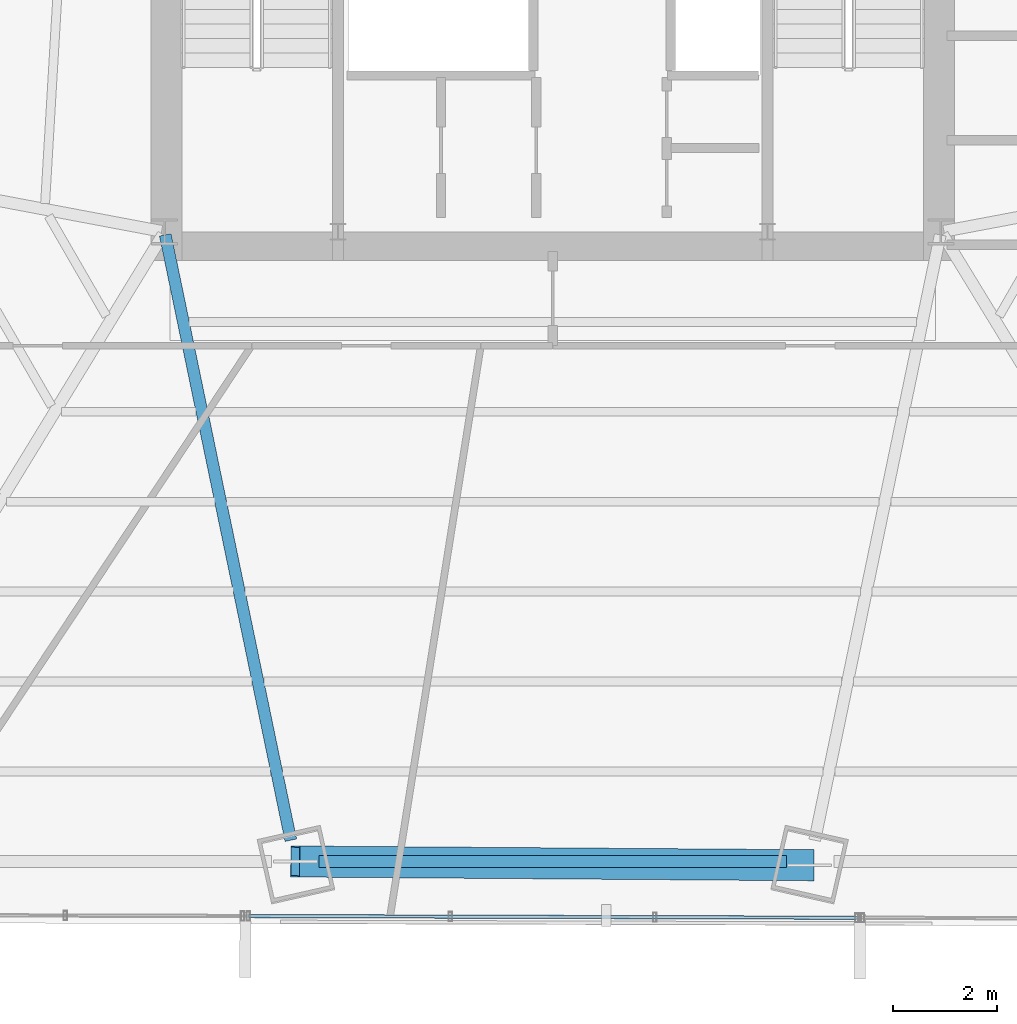
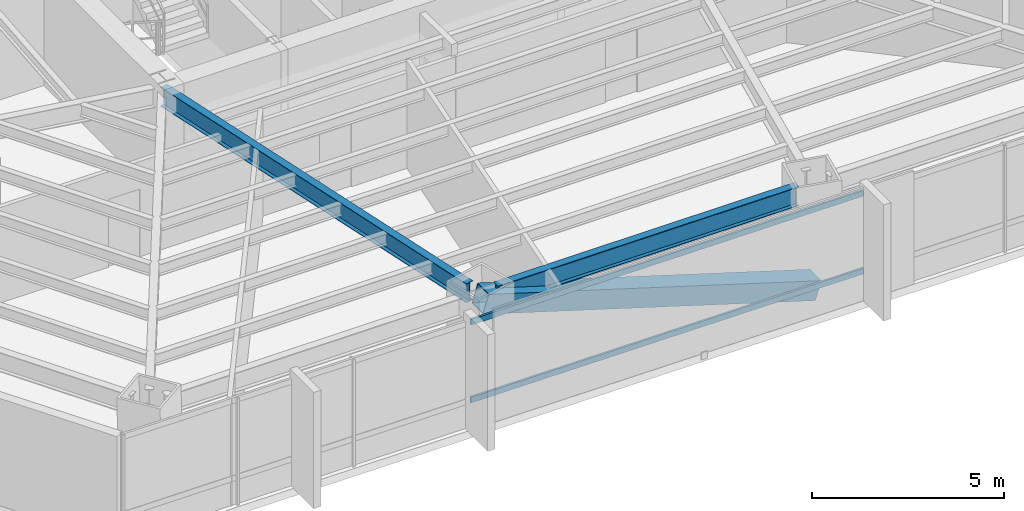
# One storey, part 8 of 37: 3 members, 2 beams, 1 element without a shape of its own.
"""IFC4 building model written with IfcOpenShell, lengths in metres."""

from ifc_helpers import new_model, si_unit, direction, frame, origin, origin_2d, place, context, subcontext, project, spatial, hollow_rectangle, i_section, extrude, source, transform, mapped, material, material_profile, profile_set, type_object, type_shapes, element, aggregate, save


model = new_model("IFC4")

# Units and contexts
model_context = context("Model", 3, precision=1e-05, world=origin(), true_north=direction((0.0, 1.0)))
body_context = subcontext(model_context, "Body", "Model", "MODEL_VIEW")
ifc_project = project(units=[si_unit("LENGTHUNIT", "METRE"), si_unit("AREAUNIT", "SQUARE_METRE"), si_unit("VOLUMEUNIT", "CUBIC_METRE"), si_unit("PLANEANGLEUNIT", "RADIAN"), si_unit("MASSUNIT", "GRAM", prefix="KILO")], contexts=[model_context])

# Site, building, storey
site_placement = place(None, origin())
site = spatial("IfcSite", under=ifc_project, at=site_placement, CompositionType="ELEMENT")
building_placement = place(site_placement, origin())
building = spatial("IfcBuilding", under=site, at=building_placement, Name="Caelisora Broadcast Tower", CompositionType="ELEMENT")
storey_placement = place(building_placement, frame((0.0, 0.0, 45.85009765625)))
storey = spatial("IfcBuildingStorey", under=building, at=storey_placement, Name="L11", CompositionType="ELEMENT", Elevation=45.85009765625)

# Beams
ifc_material_1 = material(Name="Steel Grade 350 (AS/NZS 3679.1)", Category="steel")
ifc_material_profile_1 = material_profile(ifc_material_1, i_section(OverallWidth=0.22900390625, OverallDepth=0.611572265625, WebThickness=0.011962890625, FlangeThickness=0.01953125, at=origin_2d()), Name="Steel Grade 350 (AS/NZS 3679.1)")
ifc_profile_set_1 = profile_set([ifc_material_profile_1], Name="Steel Grade 350 (AS/NZS 3679.1)")
beam_type_1 = type_object("IfcBeamType", Name="PG03", PredefinedType="BEAM", material=ifc_profile_set_1)
shared_shape_1 = source(origin(), body_context, "Body", "SweptSolid", [
    extrude(i_section(OverallWidth=0.22900390625, OverallDepth=0.611572265625, WebThickness=0.011962890625, FlangeThickness=0.01953125, at=origin_2d()), origin(), (0.0, 0.0, 1.0), 9.03173828125),
])
type_shapes(beam_type_1, [shared_shape_1])
beam_1_placement = place(storey_placement, frame((33.484130859375, 5.23388671875, 3.093994140625), z_axis=(1.0, 0.0, 0.0), x_axis=(0.0, 1.0, 0.0)))
element("IfcBeam", 1, at=beam_1_placement, inside=storey, type_object=beam_type_1, Name="L11 beam PG03", PredefinedType="BEAM", context=body_context, shape_type="MappedRepresentation", body=[
    mapped(shared_shape_1, transform((0.0, 0.0, 0.0), scale=1.0)),
])
ifc_material_profile_2 = material_profile(ifc_material_1, i_section(OverallWidth=0.22802734375, OverallDepth=0.602294921875, WebThickness=0.010498046875, FlangeThickness=0.014892578125, at=origin_2d()), Name="Steel Grade 350 (AS/NZS 3679.1)")
ifc_profile_set_2 = profile_set([ifc_material_profile_2], Name="Steel Grade 350 (AS/NZS 3679.1)")
beam_type_2 = type_object("IfcBeamType", Name="PG04", PredefinedType="BEAM", material=ifc_profile_set_2)
shared_shape_2 = source(origin(), body_context, "Body", "SweptSolid", [
    extrude(i_section(OverallWidth=0.22802734375, OverallDepth=0.602294921875, WebThickness=0.010498046875, FlangeThickness=0.014892578125, at=origin_2d()), origin(), (0.0, 0.0, 1.0), 11.9453125),
])
type_shapes(beam_type_2, [shared_shape_2])
beam_2_placement = place(storey_placement, frame((30.51220703125, 17.34130859375, 3.098876953125), z_axis=(0.203154347034, -0.979146726125, 0.0), x_axis=(0.979146726125, 0.203154347034, 0.0)))
element("IfcBeam", 2, at=beam_2_placement, inside=storey, type_object=beam_type_2, Name="L11 beam PG04", PredefinedType="BEAM", context=body_context, shape_type="MappedRepresentation", body=[
    mapped(shared_shape_2, transform((0.0, 0.0, 0.0), scale=1.0)),
])

# Member
ifc_material_2 = material(Name="Steel Grade 450 L15 (AS/NZS 3678)", Category="steel")
ifc_material_profile_3 = material_profile(ifc_material_2, hollow_rectangle(XDim=0.60009765625, YDim=0.60009765625, WallThickness=0.02490234375, at=origin_2d()), Name="Steel Grade 450 L15 (AS/NZS 3678)")
ifc_profile_set_3 = profile_set([ifc_material_profile_3], Name="Steel Grade 450 L15 (AS/NZS 3678)")
member_type_1 = type_object("IfcMemberType", Name="BR01", PredefinedType="BRACE", material=ifc_profile_set_3)
shared_shape_3 = source(origin(), body_context, "Body", "SweptSolid", [
    extrude(hollow_rectangle(XDim=0.60009765625, YDim=0.60009765625, WallThickness=0.02490234375, at=origin_2d()), origin(), (0.0, 0.0, 1.0), 10.378662109375),
])
type_shapes(member_type_1, [shared_shape_3])
member_1_placement = place(storey_placement, frame((33.024169921875, 5.23388671875, 3.099853515625), z_axis=(0.957286818987, -0.006962941354, -0.289056160013), x_axis=(0.007273428438, 0.99997354827, 0.0)))
element("IfcMember", 3, at=member_1_placement, inside=storey, type_object=member_type_1, Name="L11 perimeter brace BR01", PredefinedType="BRACE", context=body_context, shape_type="MappedRepresentation", body=[
    mapped(shared_shape_3, transform((0.0, 0.0, 0.0), scale=1.0)),
])

# Curtain wall, members
ifc_material_3 = material(Name="Unitised Aluminium Insulated Shadow-Box Spandrel Curtain Wall", Category="aluminium")
curtain_wall_type = type_object("IfcCurtainWallType", Name="CW-SP1", PredefinedType="NOTDEFINED", material=ifc_material_3)
curtain_wall_placement = place(storey_placement, origin())
curtain_wall = element("IfcCurtainWall", 4, at=curtain_wall_placement, inside=storey, type_object=curtain_wall_type, Name="L11 curtain wall CW-SP1", PredefinedType="NOTDEFINED")
ifc_material_4 = material(Name="Aluminium 6063-T6 Anodised Terracotta Bronze", Category="aluminium")
ifc_material_profile_4 = material_profile(ifc_material_4, hollow_rectangle(XDim=0.06494140625, YDim=0.179931640625, WallThickness=0.00341796875, at=origin_2d()), Name="Aluminium 6063-T6 Anodised Terracotta Bronze")
ifc_profile_set_4 = profile_set([ifc_material_profile_4], Name="Aluminium 6063-T6 Anodised Terracotta Bronze")
member_type_2 = type_object("IfcMemberType", Name="CWT-01", PredefinedType="USERDEFINED", material=ifc_profile_set_4)
shared_shape_4 = source(origin(), body_context, "Body", "SweptSolid", [
    extrude(hollow_rectangle(XDim=0.06494140625, YDim=0.179931640625, WallThickness=0.00341796875, at=origin_2d()), origin(), (0.0, 0.0, 1.0), 11.7587890625),
])
type_shapes(member_type_2, [shared_shape_4])
member_2_placement = place(storey_placement, frame((43.876708984375, 4.14697265625, 0.849853515625), z_axis=(-0.999996129813, 0.002782150183, 0.0), x_axis=(-0.002782150183, -0.999996129813, 0.0)))
member_2 = element("IfcMember", 5, at=member_2_placement, type_object=member_type_2, Name="L11-CW-B06 transom #1", ObjectType="TRANSOM", PredefinedType="USERDEFINED", context=body_context, shape_type="MappedRepresentation", body=[
    mapped(shared_shape_4, transform((0.0, 0.0, 0.0), scale=1.0)),
])
member_3_placement = place(storey_placement, frame((43.876708984375, 4.14697265625, 3.31982421875), z_axis=(-0.999996129813, 0.002782150183, 0.0), x_axis=(-0.002782150183, -0.999996129813, 0.0)))
member_3 = element("IfcMember", 6, at=member_3_placement, type_object=member_type_2, Name="L11-CW-B06 transom #2", ObjectType="TRANSOM", PredefinedType="USERDEFINED", context=body_context, shape_type="MappedRepresentation", body=[
    mapped(shared_shape_4, transform((0.0, 0.0, 0.0), scale=1.0)),
])
aggregate(curtain_wall, [member_2, member_3])

save(model, "model.ifc")
